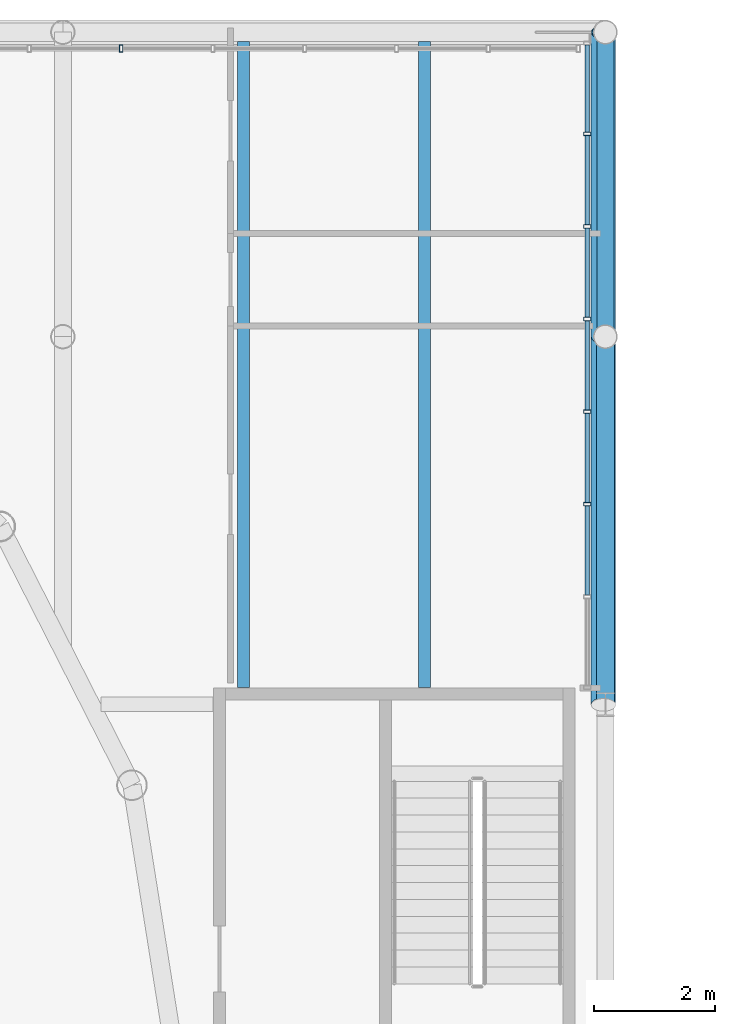
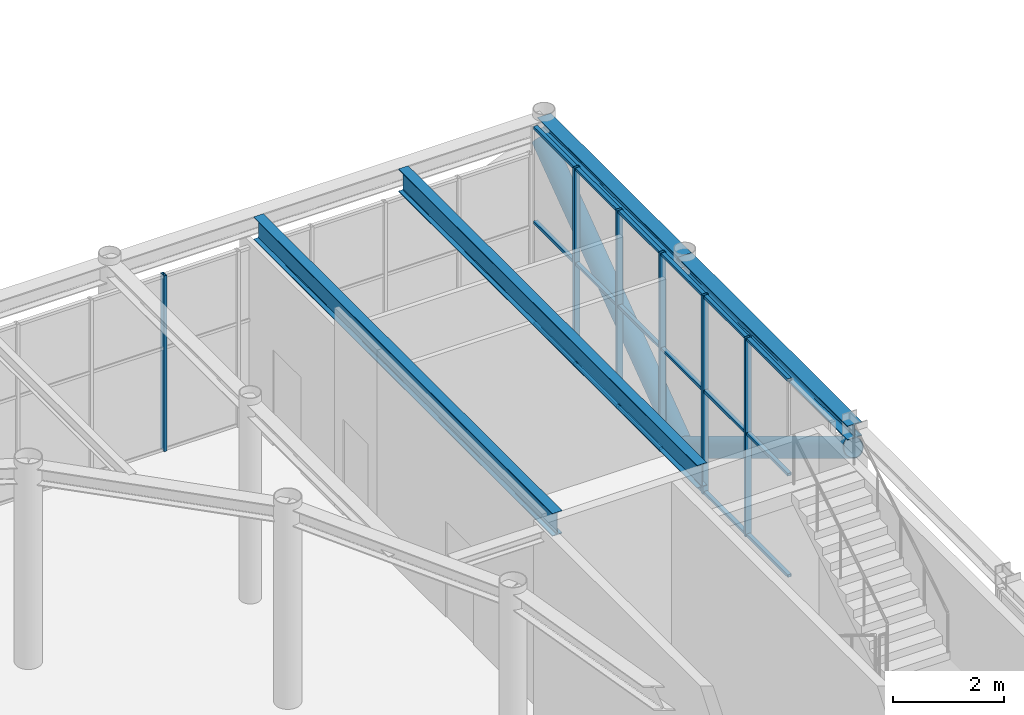
# One storey, part 65 of 149: 26 members, 4 beams, 2 elements without a shape of their own.
"""IFC4 building model written with IfcOpenShell, lengths in metres."""

from ifc_helpers import new_model, si_unit, direction, frame, origin, origin_2d, place, context, subcontext, project, spatial, hollow_rectangle, hollow_circle, i_section, extrude, material, layer, layer_set, material_profile, profile_set, type_object, element, aggregate, save


model = new_model("IFC4")

# Units and contexts
model_context = context("Model", 3, precision=1e-05, world=origin(), true_north=direction((0.0, 1.0)))
body_context = subcontext(model_context, "Body", "Model", "MODEL_VIEW")
ifc_project = project(units=[si_unit("LENGTHUNIT", "METRE"), si_unit("AREAUNIT", "SQUARE_METRE"), si_unit("VOLUMEUNIT", "CUBIC_METRE"), si_unit("PLANEANGLEUNIT", "RADIAN"), si_unit("MASSUNIT", "GRAM", prefix="KILO")], contexts=[model_context])

# Site, building, storey
site_placement = place(None, origin())
site = spatial("IfcSite", under=ifc_project, at=site_placement, CompositionType="ELEMENT")
building_placement = place(site_placement, origin())
building = spatial("IfcBuilding", under=site, at=building_placement, Name="Kallimachos Central Library", CompositionType="ELEMENT")
storey_placement = place(building_placement, frame((0.0, 0.0, 9.89990234375)))
storey = spatial("IfcBuildingStorey", under=building, at=storey_placement, Name="L02", CompositionType="ELEMENT", Elevation=9.89990234375)

# Members
ifc_material_1 = material(Name="Steel S355J2H", Category="steel")
ifc_material_profile_1 = material_profile(ifc_material_1, hollow_circle(Radius=0.203125, WallThickness=0.01611328125, at=origin_2d()), Name="CHS 406.4x16")
ifc_profile_set_1 = profile_set([ifc_material_profile_1], Name="Steel S355J2H")
member_type_1 = type_object("IfcMemberType", Name="CHS 406.4x16 brace", PredefinedType="BRACE", material=ifc_profile_set_1)
member_1_placement = place(storey_placement, frame((110.46826171875, 110.5, 3.85009765625), z_axis=(0.0, 0.855016223334, -0.518601251286), x_axis=(-1.0, 0.0, 0.0)))
element("IfcMember", 1, at=member_1_placement, inside=storey, type_object=member_type_1, Name="Cantilever truss diagonal 110.5 L02.1", PredefinedType="BRACE", context=body_context, shape_type="SweptSolid", body=[
    extrude(hollow_circle(Radius=0.203125, WallThickness=0.01611328125, at=origin_2d()), origin(), (0.0, 0.0, 1.0), 7.134521484375),
])
member_2_placement = place(storey_placement, frame((110.46826171875, 116.60009765625, 0.150146484375), z_axis=(0.0, 0.806651655217, 0.591027162774), x_axis=(-1.0, 0.0, 0.0)))
element("IfcMember", 2, at=member_2_placement, inside=storey, type_object=member_type_1, Name="Cantilever truss diagonal 110.5 L02.2", PredefinedType="BRACE", context=body_context, shape_type="SweptSolid", body=[
    extrude(hollow_circle(Radius=0.203125, WallThickness=0.01611328125, at=origin_2d()), origin(), (0.0, 0.0, 1.0), 6.26025390625),
])

# Curtain wall, members
ifc_material_2 = material(Name="Anodised aluminium and laminated glass", Category="aluminium")
ifc_layer = layer(ifc_material_2, 0.159912109375)
ifc_layer_set = layer_set([ifc_layer], Name="Glass box curtain wall")
curtain_wall_type = type_object("IfcCurtainWallType", Name="Glass box curtain wall", PredefinedType="NOTDEFINED", material=ifc_layer_set)
curtain_wall_1_placement = place(storey_placement, origin())
curtain_wall_1 = element("IfcCurtainWall", 3, at=curtain_wall_1_placement, inside=storey, type_object=curtain_wall_type, Name="Glass box curtain wall E L02", PredefinedType="NOTDEFINED")
ifc_material_3 = material(Name="Anodised aluminium", Category="aluminium")
ifc_material_profile_2 = material_profile(ifc_material_3, hollow_rectangle(XDim=0.06005859375, YDim=0.1201171875, WallThickness=0.00390625, at=origin_2d()), Name="ALU MULLION 60x120")
ifc_profile_set_2 = profile_set([ifc_material_profile_2], Name="Anodised aluminium")
member_type_2 = type_object("IfcMemberType", Name="Glass box mullion 60x120", PredefinedType="MULLION", material=ifc_profile_set_2)
member_3_placement = place(storey_placement, frame((110.199951171875, 113.821533203125, 0.0), z_axis=(0.0, 0.0, 1.0), x_axis=(0.0, 1.0, 0.0)))
member_3 = element("IfcMember", 4, at=member_3_placement, type_object=member_type_2, Name="CW19 mullion 3", PredefinedType="MULLION", context=body_context, shape_type="SweptSolid", body=[
    extrude(hollow_rectangle(XDim=0.06005859375, YDim=0.1201171875, WallThickness=0.00390625, at=origin_2d()), origin(), (0.0, 0.0, 1.0), 4.35009765625),
])
member_4_placement = place(storey_placement, frame((110.199951171875, 115.357177734375, 0.0), z_axis=(0.0, 0.0, 1.0), x_axis=(0.0, 1.0, 0.0)))
member_4 = element("IfcMember", 5, at=member_4_placement, type_object=member_type_2, Name="CW19 mullion 4", PredefinedType="MULLION", context=body_context, shape_type="SweptSolid", body=[
    extrude(hollow_rectangle(XDim=0.06005859375, YDim=0.1201171875, WallThickness=0.00390625, at=origin_2d()), origin(), (0.0, 0.0, 1.0), 4.35009765625),
])
member_5_placement = place(storey_placement, frame((110.199951171875, 116.892822265625, 0.0), z_axis=(0.0, 0.0, 1.0), x_axis=(0.0, 1.0, 0.0)))
member_5 = element("IfcMember", 6, at=member_5_placement, type_object=member_type_2, Name="CW19 mullion 5", PredefinedType="MULLION", context=body_context, shape_type="SweptSolid", body=[
    extrude(hollow_rectangle(XDim=0.06005859375, YDim=0.1201171875, WallThickness=0.00390625, at=origin_2d()), origin(), (0.0, 0.0, 1.0), 4.35009765625),
])
member_6_placement = place(storey_placement, frame((110.199951171875, 118.428466796875, 0.0), z_axis=(0.0, 0.0, 1.0), x_axis=(0.0, 1.0, 0.0)))
member_6 = element("IfcMember", 7, at=member_6_placement, type_object=member_type_2, Name="CW19 mullion 6", PredefinedType="MULLION", context=body_context, shape_type="SweptSolid", body=[
    extrude(hollow_rectangle(XDim=0.06005859375, YDim=0.1201171875, WallThickness=0.00390625, at=origin_2d()), origin(), (0.0, 0.0, 1.0), 4.35009765625),
])
member_7_placement = place(storey_placement, frame((110.199951171875, 119.96435546875, 0.0), z_axis=(0.0, 0.0, 1.0), x_axis=(0.0, 1.0, 0.0)))
member_7 = element("IfcMember", 8, at=member_7_placement, type_object=member_type_2, Name="CW19 mullion 7", PredefinedType="MULLION", context=body_context, shape_type="SweptSolid", body=[
    extrude(hollow_rectangle(XDim=0.06005859375, YDim=0.1201171875, WallThickness=0.00390625, at=origin_2d()), origin(), (0.0, 0.0, 1.0), 4.35009765625),
])

# Curtain wall, member
curtain_wall_2_placement = place(storey_placement, origin())
curtain_wall_2 = element("IfcCurtainWall", 9, at=curtain_wall_2_placement, inside=storey, type_object=curtain_wall_type, Name="Glass box curtain wall N L02", PredefinedType="NOTDEFINED")
member_8_placement = place(storey_placement, frame((102.46630859375, 121.3798828125, 0.0), z_axis=(0.0, 0.0, 1.0), x_axis=(1.0, 0.0, 0.0)))
member_8 = element("IfcMember", 10, at=member_8_placement, type_object=member_type_2, Name="CW20 mullion 25", PredefinedType="MULLION", context=body_context, shape_type="SweptSolid", body=[
    extrude(hollow_rectangle(XDim=0.06005859375, YDim=0.1201171875, WallThickness=0.00390625, at=origin_2d()), origin(), (0.0, 0.0, 1.0), 3.85009765625),
])
aggregate(curtain_wall_2, [member_8])

# Member
ifc_material_4 = material(Name="Anodised aluminium", Category="aluminium")
ifc_material_profile_3 = material_profile(ifc_material_4, hollow_rectangle(XDim=0.06005859375, YDim=0.080078125, WallThickness=0.00390625, at=origin_2d()), Name="ALU TRANSOM 60x80")
ifc_profile_set_3 = profile_set([ifc_material_profile_3], Name="Anodised aluminium")
member_type_3 = type_object("IfcMemberType", Name="Glass box transom 60x80", PredefinedType="USERDEFINED", material=ifc_profile_set_3)
member_9_placement = place(storey_placement, frame((110.199951171875, 112.315673828125, 0.030029296875), z_axis=(0.0, 1.0, 0.0), x_axis=(0.0, 0.0, 1.0)))
member_9 = element("IfcMember", 11, at=member_9_placement, type_object=member_type_3, Name="CW19 transom 2.1", ObjectType="TRANSOM", PredefinedType="USERDEFINED", context=body_context, shape_type="SweptSolid", body=[
    extrude(hollow_rectangle(XDim=0.06005859375, YDim=0.080078125, WallThickness=0.00390625, at=origin_2d()), origin(), (0.0, 0.0, 1.0), 1.475830078125),
])

member_10_placement = place(storey_placement, frame((110.199951171875, 112.315673828125, 2.25), z_axis=(0.0, 1.0, 0.0), x_axis=(0.0, 0.0, 1.0)))
member_10 = element("IfcMember", 12, at=member_10_placement, type_object=member_type_3, Name="CW19 transom 2.2", ObjectType="TRANSOM", PredefinedType="USERDEFINED", context=body_context, shape_type="SweptSolid", body=[
    extrude(hollow_rectangle(XDim=0.06005859375, YDim=0.080078125, WallThickness=0.00390625, at=origin_2d()), origin(), (0.0, 0.0, 1.0), 1.475830078125),
])

member_11_placement = place(storey_placement, frame((110.199951171875, 112.315673828125, 4.320068359375), z_axis=(0.0, 1.0, 0.0), x_axis=(0.0, 0.0, 1.0)))
member_11 = element("IfcMember", 13, at=member_11_placement, type_object=member_type_3, Name="CW19 transom 2.3", ObjectType="TRANSOM", PredefinedType="USERDEFINED", context=body_context, shape_type="SweptSolid", body=[
    extrude(hollow_rectangle(XDim=0.06005859375, YDim=0.080078125, WallThickness=0.00390625, at=origin_2d()), origin(), (0.0, 0.0, 1.0), 1.475830078125),
])

member_12_placement = place(storey_placement, frame((110.199951171875, 113.851318359375, 0.030029296875), z_axis=(0.0, 1.0, 0.0), x_axis=(0.0, 0.0, 1.0)))
member_12 = element("IfcMember", 14, at=member_12_placement, type_object=member_type_3, Name="CW19 transom 3.1", ObjectType="TRANSOM", PredefinedType="USERDEFINED", context=body_context, shape_type="SweptSolid", body=[
    extrude(hollow_rectangle(XDim=0.06005859375, YDim=0.080078125, WallThickness=0.00390625, at=origin_2d()), origin(), (0.0, 0.0, 1.0), 1.475830078125),
])

member_13_placement = place(storey_placement, frame((110.199951171875, 113.851318359375, 2.25), z_axis=(0.0, 1.0, 0.0), x_axis=(0.0, 0.0, 1.0)))
member_13 = element("IfcMember", 15, at=member_13_placement, type_object=member_type_3, Name="CW19 transom 3.2", ObjectType="TRANSOM", PredefinedType="USERDEFINED", context=body_context, shape_type="SweptSolid", body=[
    extrude(hollow_rectangle(XDim=0.06005859375, YDim=0.080078125, WallThickness=0.00390625, at=origin_2d()), origin(), (0.0, 0.0, 1.0), 1.475830078125),
])

member_14_placement = place(storey_placement, frame((110.199951171875, 113.851318359375, 4.320068359375), z_axis=(0.0, 1.0, 0.0), x_axis=(0.0, 0.0, 1.0)))
member_14 = element("IfcMember", 16, at=member_14_placement, type_object=member_type_3, Name="CW19 transom 3.3", ObjectType="TRANSOM", PredefinedType="USERDEFINED", context=body_context, shape_type="SweptSolid", body=[
    extrude(hollow_rectangle(XDim=0.06005859375, YDim=0.080078125, WallThickness=0.00390625, at=origin_2d()), origin(), (0.0, 0.0, 1.0), 1.475830078125),
])

member_15_placement = place(storey_placement, frame((110.199951171875, 115.38720703125, 0.030029296875), z_axis=(0.0, 1.0, 0.0), x_axis=(0.0, 0.0, 1.0)))
member_15 = element("IfcMember", 17, at=member_15_placement, type_object=member_type_3, Name="CW19 transom 4.1", ObjectType="TRANSOM", PredefinedType="USERDEFINED", context=body_context, shape_type="SweptSolid", body=[
    extrude(hollow_rectangle(XDim=0.06005859375, YDim=0.080078125, WallThickness=0.00390625, at=origin_2d()), origin(), (0.0, 0.0, 1.0), 1.4755859375),
])

member_16_placement = place(storey_placement, frame((110.199951171875, 115.38720703125, 2.25), z_axis=(0.0, 1.0, 0.0), x_axis=(0.0, 0.0, 1.0)))
member_16 = element("IfcMember", 18, at=member_16_placement, type_object=member_type_3, Name="CW19 transom 4.2", ObjectType="TRANSOM", PredefinedType="USERDEFINED", context=body_context, shape_type="SweptSolid", body=[
    extrude(hollow_rectangle(XDim=0.06005859375, YDim=0.080078125, WallThickness=0.00390625, at=origin_2d()), origin(), (0.0, 0.0, 1.0), 1.4755859375),
])

member_17_placement = place(storey_placement, frame((110.199951171875, 115.38720703125, 4.320068359375), z_axis=(0.0, 1.0, 0.0), x_axis=(0.0, 0.0, 1.0)))
member_17 = element("IfcMember", 19, at=member_17_placement, type_object=member_type_3, Name="CW19 transom 4.3", ObjectType="TRANSOM", PredefinedType="USERDEFINED", context=body_context, shape_type="SweptSolid", body=[
    extrude(hollow_rectangle(XDim=0.06005859375, YDim=0.080078125, WallThickness=0.00390625, at=origin_2d()), origin(), (0.0, 0.0, 1.0), 1.4755859375),
])

member_18_placement = place(storey_placement, frame((110.199951171875, 116.9228515625, 0.030029296875), z_axis=(0.0, 1.0, 0.0), x_axis=(0.0, 0.0, 1.0)))
member_18 = element("IfcMember", 20, at=member_18_placement, type_object=member_type_3, Name="CW19 transom 5.1", ObjectType="TRANSOM", PredefinedType="USERDEFINED", context=body_context, shape_type="SweptSolid", body=[
    extrude(hollow_rectangle(XDim=0.06005859375, YDim=0.080078125, WallThickness=0.00390625, at=origin_2d()), origin(), (0.0, 0.0, 1.0), 1.475830078125),
])

member_19_placement = place(storey_placement, frame((110.199951171875, 116.9228515625, 2.25), z_axis=(0.0, 1.0, 0.0), x_axis=(0.0, 0.0, 1.0)))
member_19 = element("IfcMember", 21, at=member_19_placement, type_object=member_type_3, Name="CW19 transom 5.2", ObjectType="TRANSOM", PredefinedType="USERDEFINED", context=body_context, shape_type="SweptSolid", body=[
    extrude(hollow_rectangle(XDim=0.06005859375, YDim=0.080078125, WallThickness=0.00390625, at=origin_2d()), origin(), (0.0, 0.0, 1.0), 1.475830078125),
])

member_20_placement = place(storey_placement, frame((110.199951171875, 116.9228515625, 4.320068359375), z_axis=(0.0, 1.0, 0.0), x_axis=(0.0, 0.0, 1.0)))
member_20 = element("IfcMember", 22, at=member_20_placement, type_object=member_type_3, Name="CW19 transom 5.3", ObjectType="TRANSOM", PredefinedType="USERDEFINED", context=body_context, shape_type="SweptSolid", body=[
    extrude(hollow_rectangle(XDim=0.06005859375, YDim=0.080078125, WallThickness=0.00390625, at=origin_2d()), origin(), (0.0, 0.0, 1.0), 1.475830078125),
])

member_21_placement = place(storey_placement, frame((110.199951171875, 118.45849609375, 0.030029296875), z_axis=(0.0, 1.0, 0.0), x_axis=(0.0, 0.0, 1.0)))
member_21 = element("IfcMember", 23, at=member_21_placement, type_object=member_type_3, Name="CW19 transom 6.1", ObjectType="TRANSOM", PredefinedType="USERDEFINED", context=body_context, shape_type="SweptSolid", body=[
    extrude(hollow_rectangle(XDim=0.06005859375, YDim=0.080078125, WallThickness=0.00390625, at=origin_2d()), origin(), (0.0, 0.0, 1.0), 1.475830078125),
])

member_22_placement = place(storey_placement, frame((110.199951171875, 118.45849609375, 2.25), z_axis=(0.0, 1.0, 0.0), x_axis=(0.0, 0.0, 1.0)))
member_22 = element("IfcMember", 24, at=member_22_placement, type_object=member_type_3, Name="CW19 transom 6.2", ObjectType="TRANSOM", PredefinedType="USERDEFINED", context=body_context, shape_type="SweptSolid", body=[
    extrude(hollow_rectangle(XDim=0.06005859375, YDim=0.080078125, WallThickness=0.00390625, at=origin_2d()), origin(), (0.0, 0.0, 1.0), 1.475830078125),
])

member_23_placement = place(storey_placement, frame((110.199951171875, 118.45849609375, 4.320068359375), z_axis=(0.0, 1.0, 0.0), x_axis=(0.0, 0.0, 1.0)))
member_23 = element("IfcMember", 25, at=member_23_placement, type_object=member_type_3, Name="CW19 transom 6.3", ObjectType="TRANSOM", PredefinedType="USERDEFINED", context=body_context, shape_type="SweptSolid", body=[
    extrude(hollow_rectangle(XDim=0.06005859375, YDim=0.080078125, WallThickness=0.00390625, at=origin_2d()), origin(), (0.0, 0.0, 1.0), 1.475830078125),
])

member_24_placement = place(storey_placement, frame((110.199951171875, 119.994384765625, 0.030029296875), z_axis=(0.0, 1.0, 0.0), x_axis=(0.0, 0.0, 1.0)))
member_24 = element("IfcMember", 26, at=member_24_placement, type_object=member_type_3, Name="CW19 transom 7.1", ObjectType="TRANSOM", PredefinedType="USERDEFINED", context=body_context, shape_type="SweptSolid", body=[
    extrude(hollow_rectangle(XDim=0.06005859375, YDim=0.080078125, WallThickness=0.00390625, at=origin_2d()), origin(), (0.0, 0.0, 1.0), 1.445556640625),
])

member_25_placement = place(storey_placement, frame((110.199951171875, 119.994384765625, 2.25), z_axis=(0.0, 1.0, 0.0), x_axis=(0.0, 0.0, 1.0)))
member_25 = element("IfcMember", 27, at=member_25_placement, type_object=member_type_3, Name="CW19 transom 7.2", ObjectType="TRANSOM", PredefinedType="USERDEFINED", context=body_context, shape_type="SweptSolid", body=[
    extrude(hollow_rectangle(XDim=0.06005859375, YDim=0.080078125, WallThickness=0.00390625, at=origin_2d()), origin(), (0.0, 0.0, 1.0), 1.445556640625),
])

member_26_placement = place(storey_placement, frame((110.199951171875, 119.994384765625, 4.320068359375), z_axis=(0.0, 1.0, 0.0), x_axis=(0.0, 0.0, 1.0)))
member_26 = element("IfcMember", 28, at=member_26_placement, type_object=member_type_3, Name="CW19 transom 7.3", ObjectType="TRANSOM", PredefinedType="USERDEFINED", context=body_context, shape_type="SweptSolid", body=[
    extrude(hollow_rectangle(XDim=0.06005859375, YDim=0.080078125, WallThickness=0.00390625, at=origin_2d()), origin(), (0.0, 0.0, 1.0), 1.445556640625),
])

aggregate(curtain_wall_1, [member_3, member_4, member_5, member_6, member_7, member_9, member_10, member_11, member_12, member_13, member_14, member_15, member_16, member_17, member_18, member_19, member_20, member_21, member_22, member_23, member_24, member_25, member_26])

# Beams
ifc_material_5 = material(Name="Steel S355J2", Category="steel")
ifc_material_profile_4 = material_profile(ifc_material_5, i_section(OverallWidth=0.280029296875, OverallDepth=0.27001953125, WebThickness=0.008056640625, FlangeThickness=0.012939453125, FilletRadius=0.02392578125, at=origin_2d()), Name="HEA 280")
ifc_profile_set_4 = profile_set([ifc_material_profile_4], Name="Steel S355J2")
beam_type_1 = type_object("IfcBeamType", Name="HEA 280 beam", PredefinedType="BEAM", material=ifc_profile_set_4)
beam_1_placement = place(storey_placement, frame((110.5, 116.60009765625, 4.215087890625), z_axis=(0.0, 1.0, 0.0), x_axis=(-1.0, 0.0, 0.0)))
element("IfcBeam", 29, at=beam_1_placement, inside=storey, type_object=beam_type_1, Name="V1-BEM-L02-038", PredefinedType="BEAM", context=body_context, shape_type="SweptSolid", body=[
    extrude(i_section(OverallWidth=0.280029296875, OverallDepth=0.27001953125, WebThickness=0.008056640625, FlangeThickness=0.012939453125, FilletRadius=0.02392578125, at=origin_2d()), origin(), (0.0, 0.0, 1.0), 5.0498046875),
])
ifc_material_6 = material(Name="Steel S355J2", Category="steel")
ifc_material_profile_5 = material_profile(ifc_material_6, i_section(OverallWidth=0.300048828125, OverallDepth=0.31005859375, WebThickness=0.009033203125, FlangeThickness=0.015380859375, FilletRadius=0.027099609375, at=origin_2d()), Name="HEA 320")
ifc_profile_set_5 = profile_set([ifc_material_profile_5], Name="Steel S355J2")
beam_type_2 = type_object("IfcBeamType", Name="HEA 320 beam", PredefinedType="BEAM", material=ifc_profile_set_5)
beam_2_placement = place(storey_placement, frame((110.5, 110.5, 4.195068359375), z_axis=(0.0, 1.0, 0.0), x_axis=(-1.0, 0.0, 0.0)))
element("IfcBeam", 30, at=beam_2_placement, inside=storey, type_object=beam_type_2, Name="V1-BEM-L02-037", PredefinedType="BEAM", context=body_context, shape_type="SweptSolid", body=[
    extrude(i_section(OverallWidth=0.300048828125, OverallDepth=0.31005859375, WebThickness=0.009033203125, FlangeThickness=0.015380859375, FilletRadius=0.027099609375, at=origin_2d()), origin(), (0.0, 0.0, 1.0), 6.10009765625),
])
ifc_material_7 = material(Name="Steel S355J2", Category="steel")
ifc_material_profile_6 = material_profile(ifc_material_7, i_section(OverallWidth=0.199951171875, OverallDepth=0.5, WebThickness=0.01025390625, FlangeThickness=0.01611328125, FilletRadius=0.02099609375, at=origin_2d()), Name="IPE 500")
ifc_profile_set_6 = profile_set([ifc_material_profile_6], Name="Steel S355J2")
beam_type_3 = type_object("IfcBeamType", Name="IPE 500 beam", PredefinedType="BEAM", material=ifc_profile_set_6)
for number, where, z_axis, x_axis, name in (
    (31, (104.5, 110.780029296875, 4.10009765625), (0.0, 1.0, 0.0), (-1.0, 0.0, 0.0), "V1-BEM-L02-066"),
    (32, (107.5, 110.780029296875, 4.10009765625), (0.0, 1.0, 0.0), (-1.0, 0.0, 0.0), "V1-BEM-L02-068"),
):
    element("IfcBeam", number, at=place(storey_placement, frame(where, z_axis=z_axis, x_axis=x_axis)), inside=storey, type_object=beam_type_3, Name=name, PredefinedType="BEAM", context=body_context, shape_type="SweptSolid", body=[
        extrude(i_section(OverallWidth=0.199951171875, OverallDepth=0.5, WebThickness=0.01025390625, FlangeThickness=0.01611328125, FilletRadius=0.02099609375, at=origin_2d()), origin(), (0.0, 0.0, 1.0), 10.719970703125),
    ])

save(model, "model.ifc")
